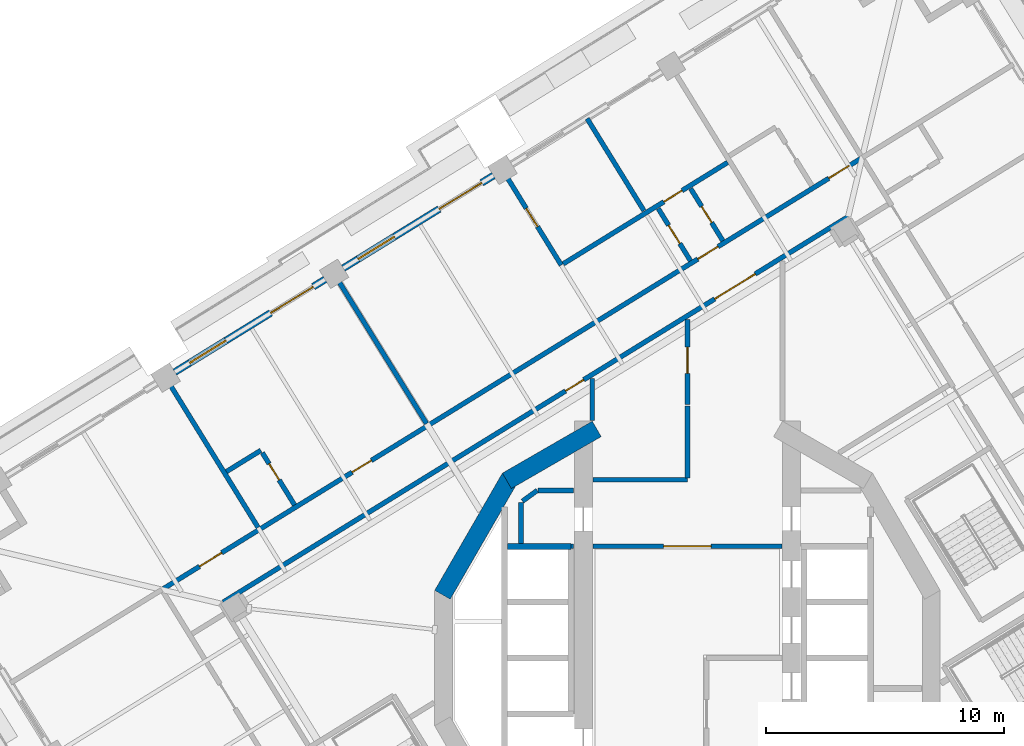
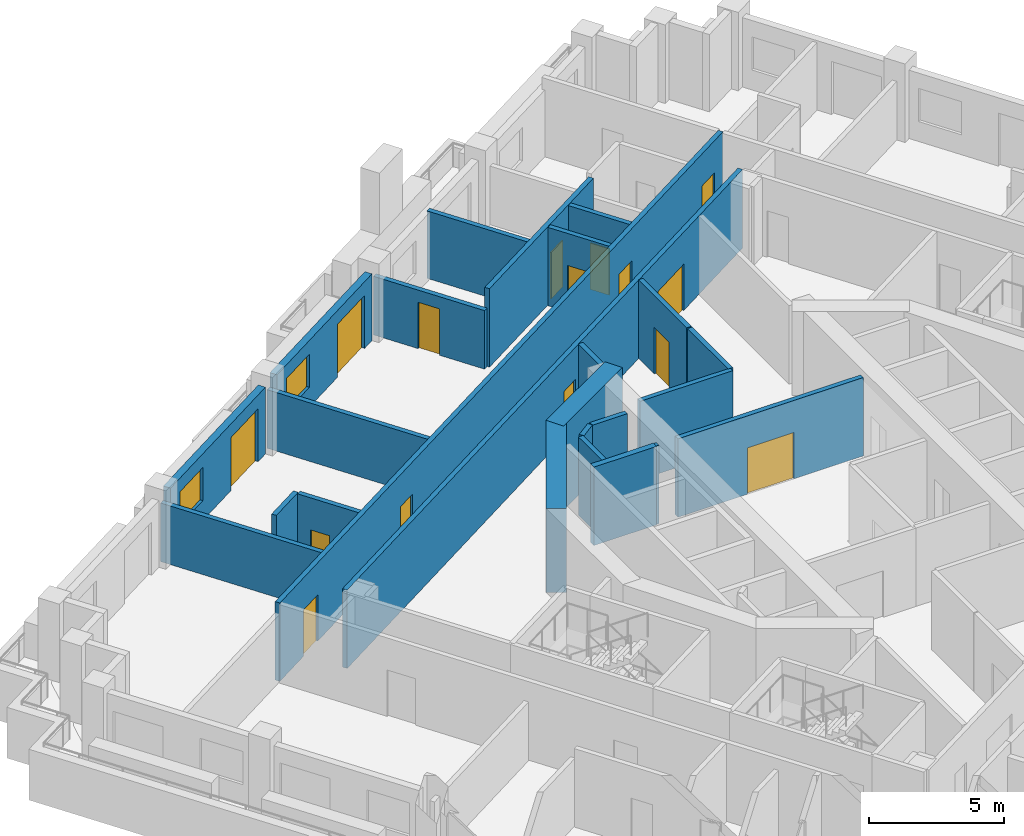
# One storey, part 8 of 21: 25 walls, 15 doors, 2 windows, 17 openings.
"""IFC4 building model written with IfcOpenShell, lengths in metres."""

from ifc_helpers import new_model, si_unit, direction, frame, frame_2d, origin, place, context, subcontext, project, spatial, rectangle, extrude, material, layer, layer_set, type_object, element, fill, save


model = new_model("IFC4")

# Units and contexts
model_context = context("Model", 3, precision=1e-05, world=origin(), true_north=direction((0.0, 1.0)))
body_context = subcontext(model_context, "Body", "Model", "MODEL_VIEW")
ifc_project = project(units=[si_unit("LENGTHUNIT", "METRE"), si_unit("AREAUNIT", "SQUARE_METRE"), si_unit("VOLUMEUNIT", "CUBIC_METRE"), si_unit("PLANEANGLEUNIT", "RADIAN"), si_unit("MASSUNIT", "GRAM", prefix="KILO")], contexts=[model_context])

# Site, building, storey
site_placement = place(None, origin())
site = spatial("IfcSite", under=ifc_project, at=site_placement, CompositionType="ELEMENT")
building_placement = place(site_placement, origin())
building = spatial("IfcBuilding", under=site, at=building_placement, Name="Cantera Rosa Tower", CompositionType="ELEMENT")
storey_placement = place(building_placement, frame((0.0, 0.0, 170.39990234375)))
storey = spatial("IfcBuildingStorey", under=building, at=storey_placement, Name="L37", CompositionType="ELEMENT", Elevation=170.39990234375)

# Wall, opening, door
ifc_material_1 = material(Name="Gypsum board partition")
ifc_layer_1 = layer(ifc_material_1, 0.199951171875)
ifc_layer_set_1 = layer_set([ifc_layer_1], Name="CORRIDOR WALL 200 H3550")
wall_type_1 = type_object("IfcWallType", Name="CORRIDOR WALL 200 H3550", PredefinedType="PARTITIONING", material=ifc_layer_set_1)
wall_1_placement = place(storey_placement, frame((-3.969970703125, 4.699951171875, 0.0), z_axis=(0.0, 0.0, 1.0), x_axis=(1.0, 0.0, 0.0)))
wall_1 = element("IfcWall", 1, at=wall_1_placement, inside=storey, type_object=wall_type_1, Name="CORRIDOR WALL L37-054", PredefinedType="PARTITIONING", context=body_context, shape_type="SweptSolid", body=[
    extrude(rectangle(XDim=7.93994140625, YDim=0.199951171875, at=frame_2d((3.969970703125, 0.0))), origin(), (0.0, 0.0, 1.0), 3.550048828125),
])
opening_1_placement = place(wall_1_placement, frame((2.969970703125, 0.0, 0.0)))
opening_1 = element("IfcOpeningElement", 2, at=opening_1_placement, cuts=wall_1, Name="Opening L37-012", PredefinedType="OPENING", context=body_context, shape_type="SweptSolid", body=[
    extrude(rectangle(XDim=2.0, YDim=2.10009765625, at=frame_2d((1.0, 1.050048828125))), frame((0.0, 0.10986328125, 0.0), z_axis=(0.0, -1.0, 0.0), x_axis=(1.0, 0.0, 0.0)), (0.0, 0.0, 1.0), 0.219970703125),
])
ifc_material_2 = material(Name="Steel S355J2 (EN 10025-2)", Category="steel")
door_type_1 = type_object("IfcDoorType", Name="LOBBY SCREEN DOOR 2000x2100", OperationType="NOTDEFINED", PredefinedType="DOOR", material=ifc_material_2)
door_1_placement = place(opening_1_placement, origin())
door_1 = element("IfcDoor", 3, at=door_1_placement, inside=storey, type_object=door_type_1, Name="DOOR L37-012", OperationType="NOTDEFINED", OverallHeight=2.10009765625, OverallWidth=2.0, PredefinedType="DOOR", context=body_context, shape_type="SweptSolid", body=[
    extrude(rectangle(XDim=2.0, YDim=2.10009765625, at=frame_2d((1.0, 1.050048828125))), frame((0.0, 0.02490234375, 0.0), z_axis=(0.0, -1.0, 0.0), x_axis=(1.0, 0.0, 0.0)), (0.0, 0.0, 1.0), 0.050048828125),
])
fill(opening_1, door_1)

# Walls
wall_2_placement = place(storey_placement, frame((-3.969970703125, 7.5, 0.0), z_axis=(0.0, 0.0, 1.0), x_axis=(1.0, 0.0, 0.0)))
element("IfcWall", 4, at=wall_2_placement, inside=storey, type_object=wall_type_1, Name="CORRIDOR WALL L37-055", PredefinedType="PARTITIONING", context=body_context, shape_type="SweptSolid", body=[
    extrude(rectangle(XDim=3.969970703125, YDim=0.199951171875, at=frame_2d((1.98486328125, 0.0))), origin(), (0.0, 0.0, 1.0), 3.550048828125),
])
wall_3_placement = place(storey_placement, frame((0.0, 7.580078125, 0.0), z_axis=(0.0, 0.0, 1.0), x_axis=(0.0, 1.0, 0.0)))
element("IfcWall", 5, at=wall_3_placement, inside=storey, type_object=wall_type_1, Name="CORRIDOR WALL L37-063", PredefinedType="PARTITIONING", context=body_context, shape_type="SweptSolid", body=[
    extrude(rectangle(XDim=3.01513671875, YDim=0.199951171875, at=frame_2d((1.507568359375, 0.0))), origin(), (0.0, 0.0, 1.0), 3.550048828125),
])

# Wall, opening, door
wall_4_placement = place(storey_placement, frame((0.0, 10.6552734375, 0.0), z_axis=(0.0, 0.0, 1.0), x_axis=(0.0, 1.0, 0.0)))
wall_4 = element("IfcWall", 6, at=wall_4_placement, inside=storey, type_object=wall_type_1, Name="CORRIDOR WALL L37-064", PredefinedType="PARTITIONING", context=body_context, shape_type="SweptSolid", body=[
    extrude(rectangle(XDim=3.57763671875, YDim=0.199951171875, at=frame_2d((1.788818359375, 0.0))), origin(), (0.0, 0.0, 1.0), 3.550048828125),
])
opening_2_placement = place(wall_4_placement, frame((1.31884765625, 0.0, 0.0)))
opening_2 = element("IfcOpeningElement", 7, at=opening_2_placement, cuts=wall_4, Name="Opening L37-016", PredefinedType="OPENING", context=body_context, shape_type="SweptSolid", body=[
    extrude(rectangle(XDim=1.10009765625, YDim=2.10009765625, at=frame_2d((0.550048828125, 1.050048828125))), frame((0.0, 0.10986328125, 0.0), z_axis=(0.0, -1.0, 0.0), x_axis=(1.0, 0.0, 0.0)), (0.0, 0.0, 1.0), 0.219970703125),
])
ifc_material_3 = material(Name="Timber door leaf", Category="wood")
door_type_2 = type_object("IfcDoorType", Name="ROOM DOOR 1100x2100", OperationType="NOTDEFINED", PredefinedType="DOOR", material=ifc_material_3)
door_2_placement = place(opening_2_placement, origin())
door_2 = element("IfcDoor", 8, at=door_2_placement, inside=storey, type_object=door_type_2, Name="DOOR L37-016", OperationType="NOTDEFINED", OverallHeight=2.10009765625, OverallWidth=1.10009765625, PredefinedType="DOOR", context=body_context, shape_type="SweptSolid", body=[
    extrude(rectangle(XDim=1.10009765625, YDim=2.10009765625, at=frame_2d((0.550048828125, 1.050048828125))), frame((0.0, 0.02490234375, 0.0), z_axis=(0.0, -1.0, 0.0), x_axis=(1.0, 0.0, 0.0)), (0.0, 0.0, 1.0), 0.050048828125),
])
fill(opening_2, door_2)

# Wall, openings, doors
wall_5_placement = place(storey_placement, frame((6.76123046875, 18.563232421875, 0.0), z_axis=(0.0, 0.0, 1.0), x_axis=(-0.851115762051, -0.524978056292, 0.0)))
wall_5 = element("IfcWall", 9, at=wall_5_placement, inside=storey, type_object=wall_type_1, Name="CORRIDOR WALL L37-085", PredefinedType="PARTITIONING", context=body_context, shape_type="SweptSolid", body=[
    extrude(rectangle(XDim=30.879638671875, YDim=0.199951171875, at=frame_2d((15.43994140625, 0.0))), origin(), (0.0, 0.0, 1.0), 3.550048828125),
])
opening_3_placement = place(wall_5_placement, frame((13.066650390625, 0.0, 0.0)))
opening_3 = element("IfcOpeningElement", 10, at=opening_3_placement, cuts=wall_5, Name="Opening L37-006", PredefinedType="OPENING", context=body_context, shape_type="SweptSolid", body=[
    extrude(rectangle(XDim=0.89990234375, YDim=2.10009765625, at=frame_2d((0.449951171875, 1.050048828125))), frame((0.0, 0.10986328125, 0.0), z_axis=(0.0, -1.0, 0.0), x_axis=(1.0, 0.0, 0.0)), (0.0, 0.0, 1.0), 0.219970703125),
])
opening_4_placement = place(wall_5_placement, frame((4.59423828125, 0.0, 0.0)))
opening_4 = element("IfcOpeningElement", 11, at=opening_4_placement, cuts=wall_5, Name="Opening L37-011", PredefinedType="OPENING", context=body_context, shape_type="SweptSolid", body=[
    extrude(rectangle(XDim=2.0, YDim=2.10009765625, at=frame_2d((1.0, 1.050048828125))), frame((0.0, 0.10986328125, 0.0), z_axis=(0.0, -1.0, 0.0), x_axis=(1.0, 0.0, 0.0)), (0.0, 0.0, 1.0), 0.219970703125),
])
door_3_placement = place(opening_4_placement, origin())
door_3 = element("IfcDoor", 12, at=door_3_placement, inside=storey, type_object=door_type_1, Name="DOOR L37-011", OperationType="NOTDEFINED", OverallHeight=2.10009765625, OverallWidth=2.0, PredefinedType="DOOR", context=body_context, shape_type="SweptSolid", body=[
    extrude(rectangle(XDim=2.0, YDim=2.10009765625, at=frame_2d((1.0, 1.050048828125))), frame((0.0, 0.02490234375, 0.0), z_axis=(0.0, -1.0, 0.0), x_axis=(1.0, 0.0, 0.0)), (0.0, 0.0, 1.0), 0.050048828125),
])
fill(opening_4, door_3)
ifc_material_4 = material(Name="Timber door leaf", Category="wood")
door_type_3 = type_object("IfcDoorType", Name="SERVICE DOOR 900x2100", OperationType="NOTDEFINED", PredefinedType="DOOR", material=ifc_material_4)
door_4_placement = place(opening_3_placement, origin())
door_4 = element("IfcDoor", 13, at=door_4_placement, inside=storey, type_object=door_type_3, Name="DOOR L37-006", OperationType="NOTDEFINED", OverallHeight=2.10009765625, OverallWidth=0.89990234375, PredefinedType="DOOR", context=body_context, shape_type="SweptSolid", body=[
    extrude(rectangle(XDim=0.89990234375, YDim=2.10009765625, at=frame_2d((0.449951171875, 1.050048828125))), frame((0.0, 0.02490234375, 0.0), z_axis=(0.0, -1.0, 0.0), x_axis=(1.0, 0.0, 0.0)), (0.0, 0.0, 1.0), 0.050048828125),
])
fill(opening_3, door_4)

wall_6_placement = place(storey_placement, frame((7.348388671875, 21.040283203125, 0.0), z_axis=(0.0, 0.0, 1.0), x_axis=(-0.85111711572, -0.524975861662, 0.0)))
wall_6 = element("IfcWall", 14, at=wall_6_placement, inside=storey, type_object=wall_type_1, Name="CORRIDOR WALL L37-089", PredefinedType="PARTITIONING", context=body_context, shape_type="SweptSolid", body=[
    extrude(rectangle(XDim=34.599853515625, YDim=0.199951171875, at=frame_2d((17.2998046875, 0.0))), origin(), (0.0, 0.0, 1.0), 3.550048828125),
])
opening_5_placement = place(wall_6_placement, frame((7.1201171875, 0.0, 0.0)))
opening_5 = element("IfcOpeningElement", 15, at=opening_5_placement, cuts=wall_6, Name="Opening L37-032", PredefinedType="OPENING", context=body_context, shape_type="SweptSolid", body=[
    extrude(rectangle(XDim=1.0, YDim=2.10009765625, at=frame_2d((0.5, 1.050048828125))), frame((0.0, 0.10986328125, 0.0), z_axis=(0.0, -1.0, 0.0), x_axis=(1.0, 0.0, 0.0)), (0.0, 0.0, 1.0), 0.219970703125),
])
opening_6_placement = place(wall_6_placement, frame((24.2451171875, 0.0, 0.0)))
opening_6 = element("IfcOpeningElement", 16, at=opening_6_placement, cuts=wall_6, Name="Opening L37-037", PredefinedType="OPENING", context=body_context, shape_type="SweptSolid", body=[
    extrude(rectangle(XDim=0.949951171875, YDim=2.10009765625, at=frame_2d((0.47509765625, 1.050048828125))), frame((0.0, 0.10986328125, 0.0), z_axis=(0.0, -1.0, 0.0), x_axis=(1.0, 0.0, 0.0)), (0.0, 0.0, 1.0), 0.219970703125),
])
opening_7_placement = place(wall_6_placement, frame((0.64990234375, 0.0, 0.0)))
opening_7 = element("IfcOpeningElement", 17, at=opening_7_placement, cuts=wall_6, Name="Opening L37-039", PredefinedType="OPENING", context=body_context, shape_type="SweptSolid", body=[
    extrude(rectangle(XDim=1.0, YDim=2.10009765625, at=frame_2d((0.5, 1.050048828125))), frame((0.0, 0.10986328125, 0.0), z_axis=(0.0, -1.0, 0.0), x_axis=(1.0, 0.0, 0.0)), (0.0, 0.0, 1.0), 0.219970703125),
])
opening_8_placement = place(wall_6_placement, frame((31.639892578125, 0.0, 0.0)))
opening_8 = element("IfcOpeningElement", 18, at=opening_8_placement, cuts=wall_6, Name="Opening L37-042", PredefinedType="OPENING", context=body_context, shape_type="SweptSolid", body=[
    extrude(rectangle(XDim=1.10009765625, YDim=2.10009765625, at=frame_2d((0.550048828125, 1.050048828125))), frame((0.0, 0.10986328125, 0.0), z_axis=(0.0, -1.0, 0.0), x_axis=(1.0, 0.0, 0.0)), (0.0, 0.0, 1.0), 0.219970703125),
])
ifc_material_5 = material(Name="Timber door leaf", Category="wood")
door_type_4 = type_object("IfcDoorType", Name="ENTRANCE DOOR 1000x2100", OperationType="NOTDEFINED", PredefinedType="DOOR", material=ifc_material_5)
door_5_placement = place(opening_5_placement, origin())
door_5 = element("IfcDoor", 19, at=door_5_placement, inside=storey, type_object=door_type_4, Name="DOOR L37-032", OperationType="NOTDEFINED", OverallHeight=2.10009765625, OverallWidth=1.0, PredefinedType="DOOR", context=body_context, shape_type="SweptSolid", body=[
    extrude(rectangle(XDim=1.0, YDim=2.10009765625, at=frame_2d((0.5, 1.050048828125))), frame((0.0, 0.02490234375, 0.0), z_axis=(0.0, -1.0, 0.0), x_axis=(1.0, 0.0, 0.0)), (0.0, 0.0, 1.0), 0.050048828125),
])
fill(opening_5, door_5)
door_6_placement = place(opening_7_placement, origin())
door_6 = element("IfcDoor", 20, at=door_6_placement, inside=storey, type_object=door_type_4, Name="DOOR L37-039", OperationType="NOTDEFINED", OverallHeight=2.10009765625, OverallWidth=1.0, PredefinedType="DOOR", context=body_context, shape_type="SweptSolid", body=[
    extrude(rectangle(XDim=1.0, YDim=2.10009765625, at=frame_2d((0.5, 1.050048828125))), frame((0.0, 0.02490234375, 0.0), z_axis=(0.0, -1.0, 0.0), x_axis=(1.0, 0.0, 0.0)), (0.0, 0.0, 1.0), 0.050048828125),
])
fill(opening_7, door_6)
door_7_placement = place(opening_8_placement, origin())
door_7 = element("IfcDoor", 21, at=door_7_placement, inside=storey, type_object=door_type_2, Name="DOOR L37-042", OperationType="NOTDEFINED", OverallHeight=2.10009765625, OverallWidth=1.10009765625, PredefinedType="DOOR", context=body_context, shape_type="SweptSolid", body=[
    extrude(rectangle(XDim=1.10009765625, YDim=2.10009765625, at=frame_2d((0.550048828125, 1.050048828125))), frame((0.0, 0.02490234375, 0.0), z_axis=(0.0, -1.0, 0.0), x_axis=(1.0, 0.0, 0.0)), (0.0, 0.0, 1.0), 0.050048828125),
])
fill(opening_8, door_7)
ifc_material_6 = material(Name="Timber door leaf", Category="wood")
door_type_5 = type_object("IfcDoorType", Name="ROOM DOOR 950x2100", OperationType="NOTDEFINED", PredefinedType="DOOR", material=ifc_material_6)
door_8_placement = place(opening_6_placement, origin())
door_8 = element("IfcDoor", 22, at=door_8_placement, inside=storey, type_object=door_type_5, Name="DOOR L37-037", OperationType="NOTDEFINED", OverallHeight=2.10009765625, OverallWidth=0.949951171875, PredefinedType="DOOR", context=body_context, shape_type="SweptSolid", body=[
    extrude(rectangle(XDim=0.949951171875, YDim=2.10009765625, at=frame_2d((0.47509765625, 1.050048828125))), frame((0.0, 0.02490234375, 0.0), z_axis=(0.0, -1.0, 0.0), x_axis=(1.0, 0.0, 0.0)), (0.0, 0.0, 1.0), 0.050048828125),
])
fill(opening_6, door_8)

# Wall, openings, window, door
ifc_material_7 = material(Name="Hollow clay masonry with cantera stone cladding", Category="masonry")
ifc_layer_2 = layer(ifc_material_7, 0.300048828125)
ifc_layer_set_2 = layer_set([ifc_layer_2], Name="EW-LOGGIA 300 H3020")
wall_type_2 = type_object("IfcWallType", Name="EW-LOGGIA 300 H3020", PredefinedType="SOLIDWALL", material=ifc_layer_set_2)
wall_7_placement = place(storey_placement, frame((-8.155517578125, 20.289306640625, 0.0), z_axis=(0.0, 0.0, 1.0), x_axis=(-0.851111085575, -0.524985637909, 0.0)))
wall_7 = element("IfcWall", 23, at=wall_7_placement, inside=storey, type_object=wall_type_2, Name="EN-L37-W10", PredefinedType="SOLIDWALL", context=body_context, shape_type="SweptSolid", body=[
    extrude(rectangle(XDim=7.420166015625, YDim=0.300048828125, at=frame_2d((3.7099609375, 0.0))), origin(), (0.0, 0.0, 1.0), 3.02001953125),
])
opening_9_placement = place(wall_7_placement, frame((0.580078125, 0.0, 0.0)))
opening_9 = element("IfcOpeningElement", 24, at=opening_9_placement, cuts=wall_7, Name="Opening L37-TD15", PredefinedType="OPENING", context=body_context, shape_type="SweptSolid", body=[
    extrude(rectangle(XDim=2.10009765625, YDim=2.39990234375, at=frame_2d((1.050048828125, 1.199951171875))), frame((0.0, 0.159912109375, 0.0), z_axis=(0.0, -1.0, 0.0), x_axis=(1.0, 0.0, 0.0)), (0.0, 0.0, 1.0), 0.320068359375),
])
opening_10_placement = place(wall_7_placement, frame((4.889892578125, 0.0, 0.89990234375)))
opening_10 = element("IfcOpeningElement", 25, at=opening_10_placement, cuts=wall_7, Name="Opening L37-W16", PredefinedType="OPENING", context=body_context, shape_type="SweptSolid", body=[
    extrude(rectangle(XDim=1.800048828125, YDim=1.5, at=frame_2d((0.89990234375, 0.75))), frame((0.0, 0.159912109375, 0.0), z_axis=(0.0, -1.0, 0.0), x_axis=(1.0, 0.0, 0.0)), (0.0, 0.0, 1.0), 0.320068359375),
])
ifc_material_8 = material(Name="Aluminium frame with clear glass", Category="aluminium")
window_type = type_object("IfcWindowType", Name="Hotel room window 1800x1500", PartitioningType="DOUBLE_PANEL_VERTICAL", PredefinedType="WINDOW", material=ifc_material_8)
window_1_placement = place(opening_10_placement, origin())
window_1 = element("IfcWindow", 26, at=window_1_placement, inside=storey, type_object=window_type, Name="WINDOW L37-W16", OverallHeight=1.5, OverallWidth=1.800048828125, PartitioningType="SINGLE_PANEL", PredefinedType="WINDOW", context=body_context, shape_type="SweptSolid", body=[
    extrude(rectangle(XDim=1.800048828125, YDim=1.5, at=frame_2d((0.89990234375, 0.75))), frame((0.0, 0.030029296875, 0.0), z_axis=(0.0, -1.0, 0.0), x_axis=(1.0, 0.0, 0.0)), (0.0, 0.0, 1.0), 0.06005859375),
])
fill(opening_10, window_1)
ifc_material_9 = material(Name="Aluminium frame with clear glass", Category="aluminium")
door_type_6 = type_object("IfcDoorType", Name="TD-H 2100x2400", OperationType="NOTDEFINED", PredefinedType="DOOR", material=ifc_material_9)
door_9_placement = place(opening_9_placement, origin())
door_9 = element("IfcDoor", 27, at=door_9_placement, inside=storey, type_object=door_type_6, Name="LOGGIA DOOR L37-TD15", OperationType="SLIDING_TO_LEFT", OverallHeight=2.39990234375, OverallWidth=2.10009765625, PredefinedType="DOOR", context=body_context, shape_type="SweptSolid", body=[
    extrude(rectangle(XDim=2.10009765625, YDim=2.39990234375, at=frame_2d((1.050048828125, 1.199951171875))), frame((0.0, 0.02490234375, 0.0), z_axis=(0.0, -1.0, 0.0), x_axis=(1.0, 0.0, 0.0)), (0.0, 0.0, 1.0), 0.050048828125),
])
fill(opening_9, door_9)

wall_8_placement = place(storey_placement, frame((-15.23681640625, 15.92138671875, 0.0), z_axis=(0.0, 0.0, 1.0), x_axis=(-0.85112578684, -0.524961803349, 0.0)))
wall_8 = element("IfcWall", 28, at=wall_8_placement, inside=storey, type_object=wall_type_2, Name="EN-L37-W11", PredefinedType="SOLIDWALL", context=body_context, shape_type="SweptSolid", body=[
    extrude(rectangle(XDim=7.420166015625, YDim=0.300048828125, at=frame_2d((3.7099609375, 0.0))), origin(), (0.0, 0.0, 1.0), 3.02001953125),
])
opening_11_placement = place(wall_8_placement, frame((0.580078125, 0.0, 0.0)))
opening_11 = element("IfcOpeningElement", 29, at=opening_11_placement, cuts=wall_8, Name="Opening L37-TD17", PredefinedType="OPENING", context=body_context, shape_type="SweptSolid", body=[
    extrude(rectangle(XDim=2.10009765625, YDim=2.39990234375, at=frame_2d((1.050048828125, 1.199951171875))), frame((0.0, 0.159912109375, 0.0), z_axis=(0.0, -1.0, 0.0), x_axis=(1.0, 0.0, 0.0)), (0.0, 0.0, 1.0), 0.320068359375),
])
opening_12_placement = place(wall_8_placement, frame((4.889892578125, 0.0, 0.89990234375)))
opening_12 = element("IfcOpeningElement", 30, at=opening_12_placement, cuts=wall_8, Name="Opening L37-W18", PredefinedType="OPENING", context=body_context, shape_type="SweptSolid", body=[
    extrude(rectangle(XDim=1.800048828125, YDim=1.5, at=frame_2d((0.89990234375, 0.75))), frame((0.0, 0.159912109375, 0.0), z_axis=(0.0, -1.0, 0.0), x_axis=(1.0, 0.0, 0.0)), (0.0, 0.0, 1.0), 0.320068359375),
])
window_2_placement = place(opening_12_placement, origin())
window_2 = element("IfcWindow", 31, at=window_2_placement, inside=storey, type_object=window_type, Name="WINDOW L37-W18", OverallHeight=1.5, OverallWidth=1.800048828125, PartitioningType="SINGLE_PANEL", PredefinedType="WINDOW", context=body_context, shape_type="SweptSolid", body=[
    extrude(rectangle(XDim=1.800048828125, YDim=1.5, at=frame_2d((0.89990234375, 0.75))), frame((0.0, 0.030029296875, 0.0), z_axis=(0.0, -1.0, 0.0), x_axis=(1.0, 0.0, 0.0)), (0.0, 0.0, 1.0), 0.06005859375),
])
fill(opening_12, window_2)
door_10_placement = place(opening_11_placement, origin())
door_10 = element("IfcDoor", 32, at=door_10_placement, inside=storey, type_object=door_type_6, Name="LOGGIA DOOR L37-TD17", OperationType="SLIDING_TO_LEFT", OverallHeight=2.39990234375, OverallWidth=2.10009765625, PredefinedType="DOOR", context=body_context, shape_type="SweptSolid", body=[
    extrude(rectangle(XDim=2.10009765625, YDim=2.39990234375, at=frame_2d((1.050048828125, 1.199951171875))), frame((0.0, 0.02490234375, 0.0), z_axis=(0.0, -1.0, 0.0), x_axis=(1.0, 0.0, 0.0)), (0.0, 0.0, 1.0), 0.050048828125),
])
fill(opening_11, door_10)

# Wall, opening, door
ifc_material_10 = material(Name="Gypsum board partition")
ifc_layer_3 = layer(ifc_material_10, 0.199951171875)
ifc_layer_set_3 = layer_set([ifc_layer_3], Name="PARTITION 200 H2650")
wall_type_3 = type_object("IfcWallType", Name="PARTITION 200 H2650", PredefinedType="PARTITIONING", material=ifc_layer_set_3)
wall_9_placement = place(storey_placement, frame((-5.30517578125, 16.525146484375, 0.0), z_axis=(0.0, 0.0, 1.0), x_axis=(-0.524966343151, 0.851122986741, 0.0)))
wall_9 = element("IfcWall", 33, at=wall_9_placement, inside=storey, type_object=wall_type_3, Name="PARTITION L37-045", PredefinedType="PARTITIONING", context=body_context, shape_type="SweptSolid", body=[
    extrude(rectangle(XDim=4.670166015625, YDim=0.199951171875, at=frame_2d((2.3349609375, 0.0))), origin(), (0.0, 0.0, 1.0), 2.650146484375),
])
opening_13_placement = place(wall_9_placement, frame((1.89990234375, 0.0, 0.0)))
opening_13 = element("IfcOpeningElement", 34, at=opening_13_placement, cuts=wall_9, Name="Opening L37-036", PredefinedType="OPENING", context=body_context, shape_type="SweptSolid", body=[
    extrude(rectangle(XDim=0.89990234375, YDim=2.10009765625, at=frame_2d((0.449951171875, 1.050048828125))), frame((0.0, 0.10986328125, 0.0), z_axis=(0.0, -1.0, 0.0), x_axis=(1.0, 0.0, 0.0)), (0.0, 0.0, 1.0), 0.219970703125),
])
ifc_material_11 = material(Name="Timber door leaf", Category="wood")
door_type_7 = type_object("IfcDoorType", Name="ROOM DOOR 900x2100", OperationType="NOTDEFINED", PredefinedType="DOOR", material=ifc_material_11)
door_11_placement = place(opening_13_placement, origin())
door_11 = element("IfcDoor", 35, at=door_11_placement, inside=storey, type_object=door_type_7, Name="DOOR L37-036", OperationType="NOTDEFINED", OverallHeight=2.10009765625, OverallWidth=0.89990234375, PredefinedType="DOOR", context=body_context, shape_type="SweptSolid", body=[
    extrude(rectangle(XDim=0.89990234375, YDim=2.10009765625, at=frame_2d((0.449951171875, 1.050048828125))), frame((0.0, 0.02490234375, 0.0), z_axis=(0.0, -1.0, 0.0), x_axis=(1.0, 0.0, 0.0)), (0.0, 0.0, 1.0), 0.050048828125),
])
fill(opening_13, door_11)

# Walls
ifc_material_12 = material(Name="Gypsum board partition")
ifc_layer_4 = layer(ifc_material_12, 0.199951171875)
ifc_layer_set_4 = layer_set([ifc_layer_4], Name="PARTITION 200 H3050")
wall_type_4 = type_object("IfcWallType", Name="PARTITION 200 H3050", PredefinedType="PARTITIONING", material=ifc_layer_set_4)
wall_10_placement = place(storey_placement, frame((-1.82763671875, 18.811279296875, 0.0), z_axis=(0.0, 0.0, 1.0), x_axis=(-0.524983293877, 0.851112531426, 0.0)))
element("IfcWall", 36, at=wall_10_placement, inside=storey, type_object=wall_type_4, Name="PARTITION L37-058", PredefinedType="PARTITIONING", context=body_context, shape_type="SweptSolid", body=[
    extrude(rectangle(XDim=4.550048828125, YDim=0.199951171875, at=frame_2d((2.27490234375, 0.0))), origin(), (0.0, 0.0, 1.0), 3.050048828125),
])
ifc_material_13 = material(Name="Gypsum board partition")
ifc_layer_5 = layer(ifc_material_13, 0.199951171875)
ifc_layer_set_5 = layer_set([ifc_layer_5], Name="PARTITION 200 H3550")
wall_type_5 = type_object("IfcWallType", Name="PARTITION 200 H3550", PredefinedType="PARTITIONING", material=ifc_layer_set_5)
wall_11_placement = place(storey_placement, frame((-19.3828125, 7.842041015625, 0.0), z_axis=(0.0, 0.0, 1.0), x_axis=(0.851105638601, 0.524994468487, 0.0)))
element("IfcWall", 37, at=wall_11_placement, inside=storey, type_object=wall_type_5, Name="PARTITION L37-006", PredefinedType="PARTITIONING", context=body_context, shape_type="SweptSolid", body=[
    extrude(rectangle(XDim=1.7001953125, YDim=0.199951171875, at=frame_2d((0.85009765625, 0.0))), origin(), (0.0, 0.0, 1.0), 3.550048828125),
])

# Wall, opening, door
wall_12_placement = place(storey_placement, frame((-17.872802734375, 8.63232421875, 0.0), z_axis=(0.0, 0.0, 1.0), x_axis=(0.525005247362, -0.851098989685, 0.0)))
wall_12 = element("IfcWall", 38, at=wall_12_placement, inside=storey, type_object=wall_type_5, Name="PARTITION L37-010", PredefinedType="PARTITIONING", context=body_context, shape_type="SweptSolid", body=[
    extrude(rectangle(XDim=2.580078125, YDim=0.199951171875, at=frame_2d((1.2900390625, 0.0))), origin(), (0.0, 0.0, 1.0), 3.550048828125),
])
opening_14_placement = place(wall_12_placement, frame((0.5439453125, 0.0, 0.0)))
opening_14 = element("IfcOpeningElement", 39, at=opening_14_placement, cuts=wall_12, Name="Opening L37-038", PredefinedType="OPENING", context=body_context, shape_type="SweptSolid", body=[
    extrude(rectangle(XDim=0.800048828125, YDim=2.10009765625, at=frame_2d((0.39990234375, 1.050048828125))), frame((0.0, 0.10986328125, 0.0), z_axis=(0.0, -1.0, 0.0), x_axis=(1.0, 0.0, 0.0)), (0.0, 0.0, 1.0), 0.219970703125),
])
ifc_material_14 = material(Name="Timber door leaf", Category="wood")
door_type_8 = type_object("IfcDoorType", Name="BATHROOM DOOR 800x2100", OperationType="NOTDEFINED", PredefinedType="DOOR", material=ifc_material_14)
door_12_placement = place(opening_14_placement, origin())
door_12 = element("IfcDoor", 40, at=door_12_placement, inside=storey, type_object=door_type_8, Name="DOOR L37-038", OperationType="NOTDEFINED", OverallHeight=2.10009765625, OverallWidth=0.800048828125, PredefinedType="DOOR", context=body_context, shape_type="SweptSolid", body=[
    extrude(rectangle(XDim=0.800048828125, YDim=2.10009765625, at=frame_2d((0.39990234375, 1.050048828125))), frame((0.0, 0.02490234375, 0.0), z_axis=(0.0, -1.0, 0.0), x_axis=(1.0, 0.0, 0.0)), (0.0, 0.0, 1.0), 0.050048828125),
])
fill(opening_14, door_12)

# Walls
wall_13_placement = place(storey_placement, frame((-7.0, 4.824951171875, 0.0), z_axis=(0.0, 0.0, 1.0), x_axis=(0.0, 1.0, 0.0)))
element("IfcWall", 41, at=wall_13_placement, inside=storey, type_object=wall_type_5, Name="PARTITION L37-039", PredefinedType="PARTITIONING", context=body_context, shape_type="SweptSolid", body=[
    extrude(rectangle(XDim=1.72509765625, YDim=0.199951171875, at=frame_2d((0.862548828125, 0.0))), origin(), (0.0, 0.0, 1.0), 3.550048828125),
])
wall_14_placement = place(storey_placement, frame((-6.935302734375, 6.59716796875, 0.0), z_axis=(0.0, 0.0, 1.0), x_axis=(0.808227862651, 0.588869868506, 0.0)))
element("IfcWall", 42, at=wall_14_placement, inside=storey, type_object=wall_type_5, Name="PARTITION L37-040", PredefinedType="PARTITIONING", context=body_context, shape_type="SweptSolid", body=[
    extrude(rectangle(XDim=0.76904296875, YDim=0.199951171875, at=frame_2d((0.384521484375, 0.0))), origin(), (0.0, 0.0, 1.0), 3.550048828125),
])
wall_15_placement = place(storey_placement, frame((-6.273681640625, 7.050048828125, 0.0), z_axis=(0.0, 0.0, 1.0), x_axis=(1.0, 0.0, 0.0)))
element("IfcWall", 43, at=wall_15_placement, inside=storey, type_object=wall_type_5, Name="PARTITION L37-043", PredefinedType="PARTITIONING", context=body_context, shape_type="SweptSolid", body=[
    extrude(rectangle(XDim=1.49365234375, YDim=0.199951171875, at=frame_2d((0.746826171875, 0.0))), origin(), (0.0, 0.0, 1.0), 3.550048828125),
])
wall_16_placement = place(storey_placement, frame((-4.780029296875, 4.699951171875, 0.0), z_axis=(0.0, 0.0, 1.0), x_axis=(-1.0, 0.0, 0.0)))
element("IfcWall", 44, at=wall_16_placement, inside=storey, type_object=wall_type_5, Name="PARTITION L37-049", PredefinedType="PARTITIONING", context=body_context, shape_type="SweptSolid", body=[
    extrude(rectangle(XDim=0.119873046875, YDim=0.199951171875, at=frame_2d((0.06005859375, 0.0))), origin(), (0.0, 0.0, 1.0), 3.550048828125),
])
wall_17_placement = place(storey_placement, frame((-4.0, 11.765625, 0.0), z_axis=(0.0, 0.0, 1.0), x_axis=(0.0, -1.0, 0.0)))
element("IfcWall", 45, at=wall_17_placement, inside=storey, type_object=wall_type_5, Name="PARTITION L37-053", PredefinedType="PARTITIONING", context=body_context, shape_type="SweptSolid", body=[
    extrude(rectangle(XDim=1.771484375, YDim=0.199951171875, at=frame_2d((0.8857421875, 0.0))), origin(), (0.0, 0.0, 1.0), 3.550048828125),
])

# Wall, opening, door
wall_18_placement = place(storey_placement, frame((0.12939453125, 16.705078125, 0.0), z_axis=(0.0, 0.0, 1.0), x_axis=(-0.524936695429, 0.851141272523, 0.0)))
wall_18 = element("IfcWall", 46, at=wall_18_placement, inside=storey, type_object=wall_type_5, Name="PARTITION L37-065", PredefinedType="PARTITIONING", context=body_context, shape_type="SweptSolid", body=[
    extrude(rectangle(XDim=2.579833984375, YDim=0.199951171875, at=frame_2d((1.2900390625, 0.0))), origin(), (0.0, 0.0, 1.0), 3.550048828125),
])
opening_15_placement = place(wall_18_placement, frame((0.85009765625, 0.0, 0.0)))
opening_15 = element("IfcOpeningElement", 47, at=opening_15_placement, cuts=wall_18, Name="Opening L37-034", PredefinedType="OPENING", context=body_context, shape_type="SweptSolid", body=[
    extrude(rectangle(XDim=0.89990234375, YDim=2.10009765625, at=frame_2d((0.449951171875, 1.050048828125))), frame((0.0, 0.10986328125, 0.0), z_axis=(0.0, -1.0, 0.0), x_axis=(1.0, 0.0, 0.0)), (0.0, 0.0, 1.0), 0.219970703125),
])
door_13_placement = place(opening_15_placement, origin())
door_13 = element("IfcDoor", 48, at=door_13_placement, inside=storey, type_object=door_type_7, Name="DOOR L37-034", OperationType="NOTDEFINED", OverallHeight=2.10009765625, OverallWidth=0.89990234375, PredefinedType="DOOR", context=body_context, shape_type="SweptSolid", body=[
    extrude(rectangle(XDim=0.89990234375, YDim=2.10009765625, at=frame_2d((0.449951171875, 1.050048828125))), frame((0.0, 0.02490234375, 0.0), z_axis=(0.0, -1.0, 0.0), x_axis=(1.0, 0.0, 0.0)), (0.0, 0.0, 1.0), 0.050048828125),
])
fill(opening_15, door_13)

wall_19_placement = place(storey_placement, frame((1.4912109375, 17.545166015625, 0.0), z_axis=(0.0, 0.0, 1.0), x_axis=(-0.525005247362, 0.851098989685, 0.0)))
wall_19 = element("IfcWall", 49, at=wall_19_placement, inside=storey, type_object=wall_type_5, Name="PARTITION L37-069", PredefinedType="PARTITIONING", context=body_context, shape_type="SweptSolid", body=[
    extrude(rectangle(XDim=2.580078125, YDim=0.199951171875, at=frame_2d((1.2900390625, 0.0))), origin(), (0.0, 0.0, 1.0), 3.550048828125),
])
opening_16_placement = place(wall_19_placement, frame((0.89990234375, 0.0, 0.0)))
opening_16 = element("IfcOpeningElement", 50, at=opening_16_placement, cuts=wall_19, Name="Opening L37-033", PredefinedType="OPENING", context=body_context, shape_type="SweptSolid", body=[
    extrude(rectangle(XDim=0.800048828125, YDim=2.10009765625, at=frame_2d((0.39990234375, 1.050048828125))), frame((0.0, 0.10986328125, 0.0), z_axis=(0.0, -1.0, 0.0), x_axis=(1.0, 0.0, 0.0)), (0.0, 0.0, 1.0), 0.219970703125),
])
door_14_placement = place(opening_16_placement, origin())
door_14 = element("IfcDoor", 51, at=door_14_placement, inside=storey, type_object=door_type_8, Name="DOOR L37-033", OperationType="NOTDEFINED", OverallHeight=2.10009765625, OverallWidth=0.800048828125, PredefinedType="DOOR", context=body_context, shape_type="SweptSolid", body=[
    extrude(rectangle(XDim=0.800048828125, YDim=2.10009765625, at=frame_2d((0.39990234375, 1.050048828125))), frame((0.0, 0.02490234375, 0.0), z_axis=(0.0, -1.0, 0.0), x_axis=(1.0, 0.0, 0.0)), (0.0, 0.0, 1.0), 0.050048828125),
])
fill(opening_16, door_14)

wall_20_placement = place(storey_placement, frame((1.69091796875, 20.840576171875, 0.0), z_axis=(0.0, 0.0, 1.0), x_axis=(-0.851111760711, -0.524984543372, 0.0)))
wall_20 = element("IfcWall", 52, at=wall_20_placement, inside=storey, type_object=wall_type_5, Name="PARTITION L37-071", PredefinedType="PARTITIONING", context=body_context, shape_type="SweptSolid", body=[
    extrude(rectangle(XDim=8.1201171875, YDim=0.199951171875, at=frame_2d((4.06005859375, 0.0))), origin(), (0.0, 0.0, 1.0), 3.550048828125),
])
opening_17_placement = place(wall_20_placement, frame((2.25, 0.0, 0.0)))
opening_17 = element("IfcOpeningElement", 53, at=opening_17_placement, cuts=wall_20, Name="Opening L37-035", PredefinedType="OPENING", context=body_context, shape_type="SweptSolid", body=[
    extrude(rectangle(XDim=0.89990234375, YDim=2.10009765625, at=frame_2d((0.449951171875, 1.050048828125))), frame((0.0, 0.10986328125, 0.0), z_axis=(0.0, -1.0, 0.0), x_axis=(1.0, 0.0, 0.0)), (0.0, 0.0, 1.0), 0.219970703125),
])
door_15_placement = place(opening_17_placement, origin())
door_15 = element("IfcDoor", 54, at=door_15_placement, inside=storey, type_object=door_type_7, Name="DOOR L37-035", OperationType="NOTDEFINED", OverallHeight=2.10009765625, OverallWidth=0.89990234375, PredefinedType="DOOR", context=body_context, shape_type="SweptSolid", body=[
    extrude(rectangle(XDim=0.89990234375, YDim=2.10009765625, at=frame_2d((0.449951171875, 1.050048828125))), frame((0.0, 0.02490234375, 0.0), z_axis=(0.0, -1.0, 0.0), x_axis=(1.0, 0.0, 0.0)), (0.0, 0.0, 1.0), 0.050048828125),
])
fill(opening_17, door_15)

# Walls
ifc_material_15 = material(Name="Gypsum board partition")
ifc_layer_6 = layer(ifc_material_15, 0.199951171875)
ifc_layer_set_6 = layer_set([ifc_layer_6], Name="PARTY WALL 200 H2650")
wall_type_6 = type_object("IfcWallType", Name="PARTY WALL 200 H2650", PredefinedType="PARTITIONING", material=ifc_layer_set_6)
for number, where, z_axis, x_axis, name in (
    (55, (-18.05029296875, 5.49169921875, 0.0), (0.0, 0.0, 1.0), (-0.52498429839, 0.851111911821, 0.0), "PARTY WALL L37-009"),
    (56, (-10.968994140625, 9.859375, 0.0), (0.0, 0.0, 1.0), (-0.52498429839, 0.851111911821, 0.0), "PARTY WALL L37-022"),
):
    element("IfcWall", number, at=place(storey_placement, frame(where, z_axis=z_axis, x_axis=x_axis)), inside=storey, type_object=wall_type_6, Name=name, PredefinedType="PARTITIONING", context=body_context, shape_type="SweptSolid", body=[
        extrude(rectangle(XDim=7.3701171875, YDim=0.199951171875, at=frame_2d((3.68505859375, 0.0))), origin(), (0.0, 0.0, 1.0), 2.650146484375),
    ])
ifc_material_16 = material(Name="Concrete C60/75", Category="concrete")
ifc_layer_7 = layer(ifc_material_16, 0.75)
ifc_layer_set_7 = layer_set([ifc_layer_7], Name="RC CORE WALL 750 C60/75")
wall_type_7 = type_object("IfcWallType", Name="RC CORE WALL 750 C60/75", PredefinedType="SHEAR", material=ifc_layer_set_7)
wall_21_placement = place(storey_placement, frame((-10.300537109375, 2.659423828125, 0.0), z_axis=(0.0, 0.0, 1.0), x_axis=(0.500021842983, 0.866012792365, 0.0)))
element("IfcWall", 57, at=wall_21_placement, inside=storey, type_object=wall_type_7, Name="CW-W4 L37", PredefinedType="SHEAR", context=body_context, shape_type="SweptSolid", body=[
    extrude(rectangle(XDim=5.694091796875, YDim=0.75, at=frame_2d((2.84716796875, 0.0))), origin(), (0.0, 0.0, 1.0), 3.800048828125),
])
wall_22_placement = place(storey_placement, frame((-7.590576171875, 7.453369140625, 0.0), z_axis=(0.0, 0.0, 1.0), x_axis=(0.866013176292, 0.50002117804, 0.0)))
element("IfcWall", 58, at=wall_22_placement, inside=storey, type_object=wall_type_7, Name="CW-W5 L37", PredefinedType="SHEAR", context=body_context, shape_type="SweptSolid", body=[
    extrude(rectangle(XDim=4.362548828125, YDim=0.75, at=frame_2d((2.18115234375, 0.0))), origin(), (0.0, 0.0, 1.0), 3.800048828125),
])
ifc_material_17 = material(Name="Masonry blockwork", Category="masonry")
ifc_layer_8 = layer(ifc_material_17, 0.25)
ifc_layer_set_8 = layer_set([ifc_layer_8], Name="SHAFT WALL 250 H3550")
wall_type_8 = type_object("IfcWallType", Name="SHAFT WALL 250 H3550", PredefinedType="SOLIDWALL", material=ifc_layer_set_8)
wall_23_placement = place(storey_placement, frame((-7.574951171875, 4.699951171875, 0.0), z_axis=(0.0, 0.0, 1.0), x_axis=(1.0, 0.0, 0.0)))
element("IfcWall", 59, at=wall_23_placement, inside=storey, type_object=wall_type_8, Name="SHAFT WALL L37-032", PredefinedType="SOLIDWALL", context=body_context, shape_type="SweptSolid", body=[
    extrude(rectangle(XDim=2.675048828125, YDim=0.25, at=frame_2d((1.33740234375, 0.0))), origin(), (0.0, 0.0, 1.0), 3.550048828125),
])

save(model, "model.ifc")
